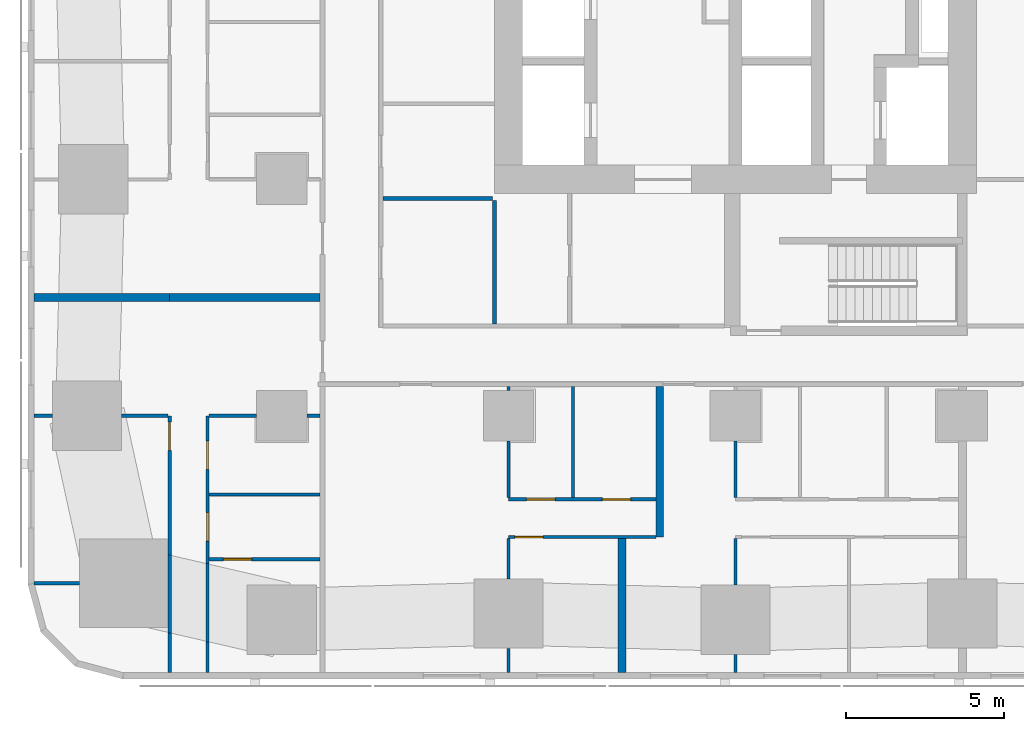
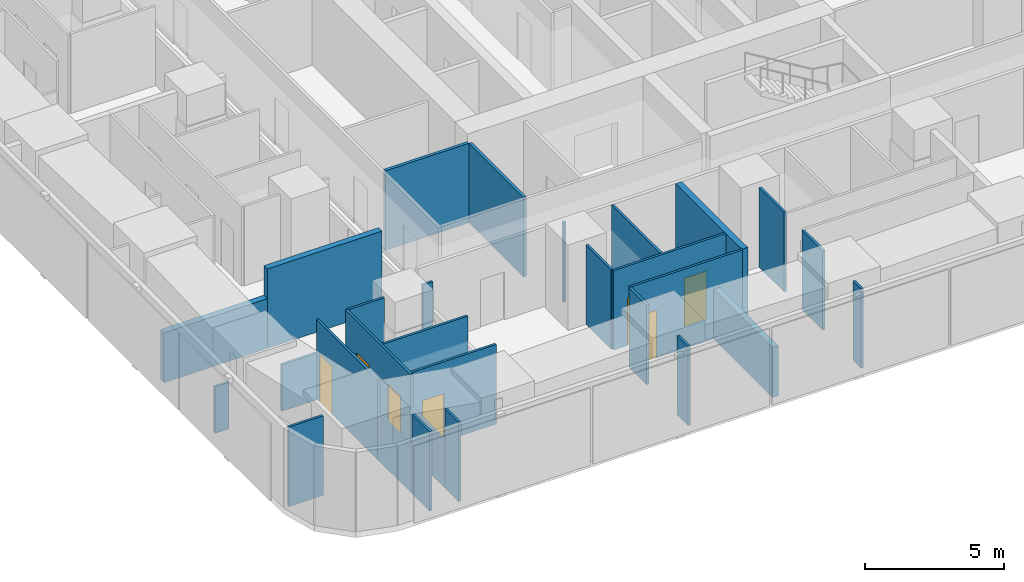
# One storey, part 2 of 17: 29 walls, 7 doors, 7 openings.
"""IFC4 building model written with IfcOpenShell, lengths in metres."""

from ifc_helpers import new_model, si_unit, direction, frame, frame_2d, origin, place, context, subcontext, project, spatial, rectangle, extrude, material, layer, layer_set, type_object, element, fill, save


model = new_model("IFC4")

# Units and contexts
model_context = context("Model", 3, precision=1e-05, world=origin(), true_north=direction((0.0, 1.0)))
body_context = subcontext(model_context, "Body", "Model", "MODEL_VIEW")
ifc_project = project(units=[si_unit("LENGTHUNIT", "METRE"), si_unit("AREAUNIT", "SQUARE_METRE"), si_unit("VOLUMEUNIT", "CUBIC_METRE"), si_unit("PLANEANGLEUNIT", "RADIAN"), si_unit("MASSUNIT", "GRAM", prefix="KILO")], contexts=[model_context])

# Site, building, storey
site_placement = place(None, origin())
site = spatial("IfcSite", under=ifc_project, at=site_placement, CompositionType="ELEMENT")
building_placement = place(site_placement, origin())
building = spatial("IfcBuilding", under=site, at=building_placement, Name="Sheger Commons Tower", CompositionType="ELEMENT")
storey_placement = place(building_placement, frame((0.0, 0.0, 119.14990234375)))
storey = spatial("IfcBuildingStorey", under=building, at=storey_placement, Name="L30", CompositionType="ELEMENT", Elevation=119.14990234375)

# Walls
ifc_material_1 = material(Name="Dense concrete block masonry, plastered both sides (separating wall between flats)", Category="masonry")
ifc_layer_1 = layer(ifc_material_1, 0.25)
ifc_layer_set_1 = layer_set([ifc_layer_1], Name="DEMISING WALL 250")
wall_type_1 = type_object("IfcWallType", Name="DEMISING WALL 250", PredefinedType="SOLIDWALL", material=ifc_layer_set_1)
wall_1_placement = place(storey_placement, frame((-0.64990234375, 11.25, 0.0), z_axis=(0.0, 0.0, 1.0), x_axis=(1.0, 0.0, 0.0)))
element("IfcWall", 1, at=wall_1_placement, inside=storey, type_object=wall_type_1, Name="Demising wall L30", PredefinedType="SOLIDWALL", context=body_context, shape_type="SweptSolid", body=[
    extrude(rectangle(XDim=4.2998046875, YDim=0.25, at=frame_2d((2.14990234375, 0.0))), origin(), (0.0, 0.0, 1.0), 2.2001953125),
])
wall_2_placement = place(storey_placement, frame((3.64990234375, 11.25, 0.0), z_axis=(0.0, 0.0, 1.0), x_axis=(1.0, 0.0, 0.0)))
element("IfcWall", 2, at=wall_2_placement, inside=storey, type_object=wall_type_1, Name="Demising wall L30", PredefinedType="SOLIDWALL", context=body_context, shape_type="SweptSolid", body=[
    extrude(rectangle(XDim=4.775146484375, YDim=0.25, at=frame_2d((2.3876953125, 0.0))), origin(), (0.0, 0.0, 1.0), 3.5),
])
wall_3_placement = place(storey_placement, frame((18.0, -0.64990234375, 0.0), z_axis=(0.0, 0.0, 1.0), x_axis=(0.0, 1.0, 0.0)))
element("IfcWall", 3, at=wall_3_placement, inside=storey, type_object=wall_type_1, Name="Demising wall L30", PredefinedType="SOLIDWALL", context=body_context, shape_type="SweptSolid", body=[
    extrude(rectangle(XDim=4.25, YDim=0.25, at=frame_2d((2.125, 0.0))), origin(), (0.0, 0.0, 1.0), 2.2001953125),
])
wall_4_placement = place(storey_placement, frame((19.198974609375, 3.64990234375, 0.0), z_axis=(0.0, 0.0, 1.0), x_axis=(0.0, 1.0, 0.0)))
element("IfcWall", 4, at=wall_4_placement, inside=storey, type_object=wall_type_1, Name="Demising wall L30", PredefinedType="SOLIDWALL", context=body_context, shape_type="SweptSolid", body=[
    extrude(rectangle(XDim=4.775146484375, YDim=0.25, at=frame_2d((2.3876953125, 0.0))), origin(), (0.0, 0.0, 1.0), 3.5),
])
ifc_material_2 = material(Name="Gypsum board on steel studs", Category="steel")
ifc_layer_2 = layer(ifc_material_2, 0.10009765625)
ifc_layer_set_2 = layer_set([ifc_layer_2], Name="PARTITION 100")
wall_type_2 = type_object("IfcWallType", Name="PARTITION 100", PredefinedType="PARTITIONING", material=ifc_layer_set_2)
wall_5_placement = place(storey_placement, frame((3.64990234375, -0.64990234375, 0.0), z_axis=(0.0, 0.0, 1.0), x_axis=(0.0, 1.0, 0.0)))
element("IfcWall", 5, at=wall_5_placement, inside=storey, type_object=wall_type_2, Name="Partition L30", PredefinedType="PARTITIONING", context=body_context, shape_type="SweptSolid", body=[
    extrude(rectangle(XDim=1.25390625, YDim=0.10009765625, at=frame_2d((0.626953125, 0.0))), origin(), (0.0, 0.0, 1.0), 3.5),
])
wall_6_placement = place(storey_placement, frame((3.64990234375, 0.60400390625, 0.0), z_axis=(0.0, 0.0, 1.0), x_axis=(0.0, 1.0, 0.0)))
element("IfcWall", 6, at=wall_6_placement, inside=storey, type_object=wall_type_2, Name="Partition L30", PredefinedType="PARTITIONING", context=body_context, shape_type="SweptSolid", body=[
    extrude(rectangle(XDim=2.486083984375, YDim=0.10009765625, at=frame_2d((1.2431640625, 0.0))), origin(), (0.0, 0.0, 1.0), 2.050048828125),
])

# Wall, opening, door
wall_7_placement = place(storey_placement, frame((3.64990234375, 3.090087890625, 0.0), z_axis=(0.0, 0.0, 1.0), x_axis=(0.0, 1.0, 0.0)))
wall_7 = element("IfcWall", 7, at=wall_7_placement, inside=storey, type_object=wall_type_2, Name="Partition L30", PredefinedType="PARTITIONING", context=body_context, shape_type="SweptSolid", body=[
    extrude(rectangle(XDim=4.409912109375, YDim=0.10009765625, at=frame_2d((2.205078125, 0.0))), origin(), (0.0, 0.0, 1.0), 3.5),
])
opening_1_placement = place(wall_7_placement, frame((3.31005859375, 0.0, 0.0)))
opening_1 = element("IfcOpeningElement", 8, at=opening_1_placement, cuts=wall_7, Name="Opening D2", PredefinedType="OPENING", context=body_context, shape_type="SweptSolid", body=[
    extrude(rectangle(XDim=0.89990234375, YDim=2.10009765625, at=frame_2d((0.449951171875, 1.050048828125))), frame((0.0, 0.06005859375, 0.0), z_axis=(0.0, -1.0, 0.0), x_axis=(1.0, 0.0, 0.0)), (0.0, 0.0, 1.0), 0.1201171875),
])
ifc_material_3 = material(Name="Timber door set", Category="wood")
door_type = type_object("IfcDoorType", Name="INTERNAL DOOR 900x2100", OperationType="NOTDEFINED", PredefinedType="DOOR", material=ifc_material_3)
door_1_placement = place(opening_1_placement, origin())
door_1 = element("IfcDoor", 9, at=door_1_placement, inside=storey, type_object=door_type, Name="Main bedroom door", OperationType="SINGLE_SWING_RIGHT", OverallHeight=2.10009765625, OverallWidth=0.89990234375, PredefinedType="DOOR", context=body_context, shape_type="SweptSolid", body=[
    extrude(rectangle(XDim=0.89990234375, YDim=2.10009765625, at=frame_2d((0.449951171875, 1.050048828125))), frame((0.0, 0.02490234375, 0.0), z_axis=(0.0, -1.0, 0.0), x_axis=(1.0, 0.0, 0.0)), (0.0, 0.0, 1.0), 0.050048828125),
])
fill(opening_1, door_1)

# Walls
wall_8_placement = place(storey_placement, frame((4.85009765625, -0.64990234375, 0.0), z_axis=(0.0, 0.0, 1.0), x_axis=(0.0, 1.0, 0.0)))
element("IfcWall", 10, at=wall_8_placement, inside=storey, type_object=wall_type_2, Name="Partition L30", PredefinedType="PARTITIONING", context=body_context, shape_type="SweptSolid", body=[
    extrude(rectangle(XDim=0.975830078125, YDim=0.10009765625, at=frame_2d((0.48779296875, 0.0))), origin(), (0.0, 0.0, 1.0), 3.5),
])
wall_9_placement = place(storey_placement, frame((4.85009765625, 0.325927734375, 0.0), z_axis=(0.0, 0.0, 1.0), x_axis=(0.0, 1.0, 0.0)))
element("IfcWall", 11, at=wall_9_placement, inside=storey, type_object=wall_type_2, Name="Partition L30", PredefinedType="PARTITIONING", context=body_context, shape_type="SweptSolid", body=[
    extrude(rectangle(XDim=2.486083984375, YDim=0.10009765625, at=frame_2d((1.2431640625, 0.0))), origin(), (0.0, 0.0, 1.0), 2.050048828125),
])

# Wall, openings, doors
wall_10_placement = place(storey_placement, frame((4.85009765625, 2.81201171875, 0.0), z_axis=(0.0, 0.0, 1.0), x_axis=(0.0, 1.0, 0.0)))
wall_10 = element("IfcWall", 12, at=wall_10_placement, inside=storey, type_object=wall_type_2, Name="Partition L30", PredefinedType="PARTITIONING", context=body_context, shape_type="SweptSolid", body=[
    extrude(rectangle(XDim=4.68798828125, YDim=0.10009765625, at=frame_2d((2.343994140625, 0.0))), origin(), (0.0, 0.0, 1.0), 3.5),
])
opening_2_placement = place(wall_10_placement, frame((2.987060546875, 0.0, 0.0)))
opening_2 = element("IfcOpeningElement", 13, at=opening_2_placement, cuts=wall_10, Name="Opening D2", PredefinedType="OPENING", context=body_context, shape_type="SweptSolid", body=[
    extrude(rectangle(XDim=0.89990234375, YDim=2.10009765625, at=frame_2d((0.449951171875, 1.050048828125))), frame((0.0, 0.06005859375, 0.0), z_axis=(0.0, -1.0, 0.0), x_axis=(1.0, 0.0, 0.0)), (0.0, 0.0, 1.0), 0.1201171875),
])
opening_3_placement = place(wall_10_placement, frame((0.7119140625, 0.0, 0.0)))
opening_3 = element("IfcOpeningElement", 14, at=opening_3_placement, cuts=wall_10, Name="Opening D2", PredefinedType="OPENING", context=body_context, shape_type="SweptSolid", body=[
    extrude(rectangle(XDim=0.89990234375, YDim=2.10009765625, at=frame_2d((0.449951171875, 1.050048828125))), frame((0.0, 0.06005859375, 0.0), z_axis=(0.0, -1.0, 0.0), x_axis=(1.0, 0.0, 0.0)), (0.0, 0.0, 1.0), 0.1201171875),
])
door_2_placement = place(opening_2_placement, origin())
door_2 = element("IfcDoor", 15, at=door_2_placement, inside=storey, type_object=door_type, Name="Store and laundry door", OperationType="SINGLE_SWING_LEFT", OverallHeight=2.10009765625, OverallWidth=0.89990234375, PredefinedType="DOOR", context=body_context, shape_type="SweptSolid", body=[
    extrude(rectangle(XDim=0.89990234375, YDim=2.10009765625, at=frame_2d((0.449951171875, 1.050048828125))), frame((0.0, 0.02490234375, 0.0), z_axis=(0.0, -1.0, 0.0), x_axis=(1.0, 0.0, 0.0)), (0.0, 0.0, 1.0), 0.050048828125),
])
fill(opening_2, door_2)
door_3_placement = place(opening_3_placement, origin())
door_3 = element("IfcDoor", 16, at=door_3_placement, inside=storey, type_object=door_type, Name="Bathroom door", OperationType="SINGLE_SWING_RIGHT", OverallHeight=2.10009765625, OverallWidth=0.89990234375, PredefinedType="DOOR", context=body_context, shape_type="SweptSolid", body=[
    extrude(rectangle(XDim=0.89990234375, YDim=2.10009765625, at=frame_2d((0.449951171875, 1.050048828125))), frame((0.0, 0.02490234375, 0.0), z_axis=(0.0, -1.0, 0.0), x_axis=(1.0, 0.0, 0.0)), (0.0, 0.0, 1.0), 0.050048828125),
])
fill(opening_3, door_3)

# Walls
wall_11_placement = place(storey_placement, frame((-0.64990234375, 2.18603515625, 0.0), z_axis=(0.0, 0.0, 1.0), x_axis=(1.0, 0.0, 0.0)))
element("IfcWall", 17, at=wall_11_placement, inside=storey, type_object=wall_type_2, Name="Partition L30", PredefinedType="PARTITIONING", context=body_context, shape_type="SweptSolid", body=[
    extrude(rectangle(XDim=1.434814453125, YDim=0.10009765625, at=frame_2d((0.71728515625, 0.0))), origin(), (0.0, 0.0, 1.0), 3.5),
])
wall_12_placement = place(storey_placement, frame((-0.64990234375, 7.5, 0.0), z_axis=(0.0, 0.0, 1.0), x_axis=(1.0, 0.0, 0.0)))
element("IfcWall", 18, at=wall_12_placement, inside=storey, type_object=wall_type_2, Name="Partition L30", PredefinedType="PARTITIONING", context=body_context, shape_type="SweptSolid", body=[
    extrude(rectangle(XDim=0.573974609375, YDim=0.10009765625, at=frame_2d((0.287109375, 0.0))), origin(), (0.0, 0.0, 1.0), 2.050048828125),
])
wall_13_placement = place(storey_placement, frame((2.1259765625, 7.5, 0.0), z_axis=(0.0, 0.0, 1.0), x_axis=(1.0, 0.0, 0.0)))
element("IfcWall", 19, at=wall_13_placement, inside=storey, type_object=wall_type_2, Name="Partition L30", PredefinedType="PARTITIONING", context=body_context, shape_type="SweptSolid", body=[
    extrude(rectangle(XDim=1.47412109375, YDim=0.10009765625, at=frame_2d((0.737060546875, 0.0))), origin(), (0.0, 0.0, 1.0), 2.050048828125),
])
wall_14_placement = place(storey_placement, frame((4.89990234375, 4.9990234375, 0.0), z_axis=(0.0, 0.0, 1.0), x_axis=(1.0, 0.0, 0.0)))
element("IfcWall", 20, at=wall_14_placement, inside=storey, type_object=wall_type_2, Name="Partition L30", PredefinedType="PARTITIONING", context=body_context, shape_type="SweptSolid", body=[
    extrude(rectangle(XDim=3.525146484375, YDim=0.10009765625, at=frame_2d((1.7626953125, 0.0))), origin(), (0.0, 0.0, 1.0), 3.5),
])
wall_15_placement = place(storey_placement, frame((4.89990234375, 7.5, 0.0), z_axis=(0.0, 0.0, 1.0), x_axis=(1.0, 0.0, 0.0)))
element("IfcWall", 21, at=wall_15_placement, inside=storey, type_object=wall_type_2, Name="Partition L30", PredefinedType="PARTITIONING", context=body_context, shape_type="SweptSolid", body=[
    extrude(rectangle(XDim=1.4990234375, YDim=0.10009765625, at=frame_2d((0.74951171875, 0.0))), origin(), (0.0, 0.0, 1.0), 3.5),
])
wall_16_placement = place(storey_placement, frame((8.0009765625, 7.5, 0.0), z_axis=(0.0, 0.0, 1.0), x_axis=(1.0, 0.0, 0.0)))
element("IfcWall", 22, at=wall_16_placement, inside=storey, type_object=wall_type_2, Name="Partition L30", PredefinedType="PARTITIONING", context=body_context, shape_type="SweptSolid", body=[
    extrude(rectangle(XDim=0.424072265625, YDim=0.10009765625, at=frame_2d((0.2119140625, 0.0))), origin(), (0.0, 0.0, 1.0), 3.5),
])

# Wall, opening, door
wall_17_placement = place(storey_placement, frame((4.89990234375, 2.948974609375, 0.0), z_axis=(0.0, 0.0, 1.0), x_axis=(1.0, 0.0, 0.0)))
wall_17 = element("IfcWall", 23, at=wall_17_placement, inside=storey, type_object=wall_type_2, Name="Partition L30", PredefinedType="PARTITIONING", context=body_context, shape_type="SweptSolid", body=[
    extrude(rectangle(XDim=3.525146484375, YDim=0.10009765625, at=frame_2d((1.7626953125, 0.0))), origin(), (0.0, 0.0, 1.0), 3.5),
])
opening_4_placement = place(wall_17_placement, frame((0.449951171875, 0.0, 0.0)))
opening_4 = element("IfcOpeningElement", 24, at=opening_4_placement, cuts=wall_17, Name="Opening D2", PredefinedType="OPENING", context=body_context, shape_type="SweptSolid", body=[
    extrude(rectangle(XDim=0.89990234375, YDim=2.10009765625, at=frame_2d((0.449951171875, 1.050048828125))), frame((0.0, 0.06005859375, 0.0), z_axis=(0.0, -1.0, 0.0), x_axis=(1.0, 0.0, 0.0)), (0.0, 0.0, 1.0), 0.1201171875),
])
door_4_placement = place(opening_4_placement, origin())
door_4 = element("IfcDoor", 25, at=door_4_placement, inside=storey, type_object=door_type, Name="Linen store door", OperationType="SINGLE_SWING_LEFT", OverallHeight=2.10009765625, OverallWidth=0.89990234375, PredefinedType="DOOR", context=body_context, shape_type="SweptSolid", body=[
    extrude(rectangle(XDim=0.89990234375, YDim=2.10009765625, at=frame_2d((0.449951171875, 1.050048828125))), frame((0.0, 0.02490234375, 0.0), z_axis=(0.0, -1.0, 0.0), x_axis=(1.0, 0.0, 0.0)), (0.0, 0.0, 1.0), 0.050048828125),
])
fill(opening_4, door_4)

wall_18_placement = place(storey_placement, frame((19.073974609375, 3.64990234375, 0.0), z_axis=(0.0, 0.0, 1.0), x_axis=(-1.0, 0.0, 0.0)))
wall_18 = element("IfcWall", 26, at=wall_18_placement, inside=storey, type_object=wall_type_2, Name="Partition L30", PredefinedType="PARTITIONING", context=body_context, shape_type="SweptSolid", body=[
    extrude(rectangle(XDim=4.674072265625, YDim=0.10009765625, at=frame_2d((2.3369140625, 0.0))), origin(), (0.0, 0.0, 1.0), 3.5),
])
opening_5_placement = place(wall_18_placement, frame((3.573974609375, 0.0, 0.0)))
opening_5 = element("IfcOpeningElement", 27, at=opening_5_placement, cuts=wall_18, Name="Opening D2", PredefinedType="OPENING", context=body_context, shape_type="SweptSolid", body=[
    extrude(rectangle(XDim=0.89990234375, YDim=2.10009765625, at=frame_2d((0.449951171875, 1.050048828125))), frame((0.0, 0.06005859375, 0.0), z_axis=(0.0, -1.0, 0.0), x_axis=(1.0, 0.0, 0.0)), (0.0, 0.0, 1.0), 0.1201171875),
])
door_5_placement = place(opening_5_placement, origin())
door_5 = element("IfcDoor", 28, at=door_5_placement, inside=storey, type_object=door_type, Name="Main bedroom door", OperationType="SINGLE_SWING_RIGHT", OverallHeight=2.10009765625, OverallWidth=0.89990234375, PredefinedType="DOOR", context=body_context, shape_type="SweptSolid", body=[
    extrude(rectangle(XDim=0.89990234375, YDim=2.10009765625, at=frame_2d((0.449951171875, 1.050048828125))), frame((0.0, 0.02490234375, 0.0), z_axis=(0.0, -1.0, 0.0), x_axis=(1.0, 0.0, 0.0)), (0.0, 0.0, 1.0), 0.050048828125),
])
fill(opening_5, door_5)

# Wall, openings, doors
wall_19_placement = place(storey_placement, frame((19.073974609375, 4.85009765625, 0.0), z_axis=(0.0, 0.0, 1.0), x_axis=(-1.0, 0.0, 0.0)))
wall_19 = element("IfcWall", 29, at=wall_19_placement, inside=storey, type_object=wall_type_2, Name="Partition L30", PredefinedType="PARTITIONING", context=body_context, shape_type="SweptSolid", body=[
    extrude(rectangle(XDim=4.674072265625, YDim=0.10009765625, at=frame_2d((2.3369140625, 0.0))), origin(), (0.0, 0.0, 1.0), 3.5),
])
opening_6_placement = place(wall_19_placement, frame((3.198974609375, 0.0, 0.0)))
opening_6 = element("IfcOpeningElement", 30, at=opening_6_placement, cuts=wall_19, Name="Opening D2", PredefinedType="OPENING", context=body_context, shape_type="SweptSolid", body=[
    extrude(rectangle(XDim=0.89990234375, YDim=2.10009765625, at=frame_2d((0.449951171875, 1.050048828125))), frame((0.0, 0.06005859375, 0.0), z_axis=(0.0, -1.0, 0.0), x_axis=(1.0, 0.0, 0.0)), (0.0, 0.0, 1.0), 0.1201171875),
])
opening_7_placement = place(wall_19_placement, frame((0.799072265625, 0.0, 0.0)))
opening_7 = element("IfcOpeningElement", 31, at=opening_7_placement, cuts=wall_19, Name="Opening D2", PredefinedType="OPENING", context=body_context, shape_type="SweptSolid", body=[
    extrude(rectangle(XDim=0.89990234375, YDim=2.10009765625, at=frame_2d((0.449951171875, 1.050048828125))), frame((0.0, 0.06005859375, 0.0), z_axis=(0.0, -1.0, 0.0), x_axis=(1.0, 0.0, 0.0)), (0.0, 0.0, 1.0), 0.1201171875),
])
door_6_placement = place(opening_6_placement, origin())
door_6 = element("IfcDoor", 32, at=door_6_placement, inside=storey, type_object=door_type, Name="Bathroom door", OperationType="SINGLE_SWING_LEFT", OverallHeight=2.10009765625, OverallWidth=0.89990234375, PredefinedType="DOOR", context=body_context, shape_type="SweptSolid", body=[
    extrude(rectangle(XDim=0.89990234375, YDim=2.10009765625, at=frame_2d((0.449951171875, 1.050048828125))), frame((0.0, 0.02490234375, 0.0), z_axis=(0.0, -1.0, 0.0), x_axis=(1.0, 0.0, 0.0)), (0.0, 0.0, 1.0), 0.050048828125),
])
fill(opening_6, door_6)
door_7_placement = place(opening_7_placement, origin())
door_7 = element("IfcDoor", 33, at=door_7_placement, inside=storey, type_object=door_type, Name="Store door", OperationType="SINGLE_SWING_RIGHT", OverallHeight=2.10009765625, OverallWidth=0.89990234375, PredefinedType="DOOR", context=body_context, shape_type="SweptSolid", body=[
    extrude(rectangle(XDim=0.89990234375, YDim=2.10009765625, at=frame_2d((0.449951171875, 1.050048828125))), frame((0.0, 0.02490234375, 0.0), z_axis=(0.0, -1.0, 0.0), x_axis=(1.0, 0.0, 0.0)), (0.0, 0.0, 1.0), 0.050048828125),
])
fill(opening_7, door_7)

# Walls
wall_20_placement = place(storey_placement, frame((14.39990234375, -0.64990234375, 0.0), z_axis=(0.0, 0.0, 1.0), x_axis=(0.0, 1.0, 0.0)))
element("IfcWall", 34, at=wall_20_placement, inside=storey, type_object=wall_type_2, Name="Partition L30", PredefinedType="PARTITIONING", context=body_context, shape_type="SweptSolid", body=[
    extrude(rectangle(XDim=0.77392578125, YDim=0.10009765625, at=frame_2d((0.386962890625, 0.0))), origin(), (0.0, 0.0, 1.0), 3.5),
])
wall_21_placement = place(storey_placement, frame((14.39990234375, 2.325927734375, 0.0), z_axis=(0.0, 0.0, 1.0), x_axis=(0.0, 1.0, 0.0)))
element("IfcWall", 35, at=wall_21_placement, inside=storey, type_object=wall_type_2, Name="Partition L30", PredefinedType="PARTITIONING", context=body_context, shape_type="SweptSolid", body=[
    extrude(rectangle(XDim=1.274169921875, YDim=0.10009765625, at=frame_2d((0.63720703125, 0.0))), origin(), (0.0, 0.0, 1.0), 3.5),
])
wall_22_placement = place(storey_placement, frame((14.39990234375, 4.89990234375, 0.0), z_axis=(0.0, 0.0, 1.0), x_axis=(0.0, 1.0, 0.0)))
element("IfcWall", 36, at=wall_22_placement, inside=storey, type_object=wall_type_2, Name="Partition L30", PredefinedType="PARTITIONING", context=body_context, shape_type="SweptSolid", body=[
    extrude(rectangle(XDim=1.799072265625, YDim=0.10009765625, at=frame_2d((0.8994140625, 0.0))), origin(), (0.0, 0.0, 1.0), 3.5),
])
wall_23_placement = place(storey_placement, frame((14.39990234375, 8.301025390625, 0.0), z_axis=(0.0, 0.0, 1.0), x_axis=(0.0, 1.0, 0.0)))
element("IfcWall", 37, at=wall_23_placement, inside=storey, type_object=wall_type_2, Name="Partition L30", PredefinedType="PARTITIONING", context=body_context, shape_type="SweptSolid", body=[
    extrude(rectangle(XDim=0.1240234375, YDim=0.10009765625, at=frame_2d((0.06201171875, 0.0))), origin(), (0.0, 0.0, 1.0), 3.5),
])
wall_24_placement = place(storey_placement, frame((16.449951171875, 4.89990234375, 0.0), z_axis=(0.0, 0.0, 1.0), x_axis=(0.0, 1.0, 0.0)))
element("IfcWall", 38, at=wall_24_placement, inside=storey, type_object=wall_type_2, Name="Partition L30", PredefinedType="PARTITIONING", context=body_context, shape_type="SweptSolid", body=[
    extrude(rectangle(XDim=3.525146484375, YDim=0.10009765625, at=frame_2d((1.7626953125, 0.0))), origin(), (0.0, 0.0, 1.0), 3.5),
])
wall_25_placement = place(storey_placement, frame((21.60009765625, -0.64990234375, 0.0), z_axis=(0.0, 0.0, 1.0), x_axis=(0.0, 1.0, 0.0)))
element("IfcWall", 39, at=wall_25_placement, inside=storey, type_object=wall_type_2, Name="Partition L30", PredefinedType="PARTITIONING", context=body_context, shape_type="SweptSolid", body=[
    extrude(rectangle(XDim=0.573974609375, YDim=0.10009765625, at=frame_2d((0.287109375, 0.0))), origin(), (0.0, 0.0, 1.0), 3.5),
])
wall_26_placement = place(storey_placement, frame((21.60009765625, 2.1259765625, 0.0), z_axis=(0.0, 0.0, 1.0), x_axis=(0.0, 1.0, 0.0)))
element("IfcWall", 40, at=wall_26_placement, inside=storey, type_object=wall_type_2, Name="Partition L30", PredefinedType="PARTITIONING", context=body_context, shape_type="SweptSolid", body=[
    extrude(rectangle(XDim=1.47412109375, YDim=0.10009765625, at=frame_2d((0.737060546875, 0.0))), origin(), (0.0, 0.0, 1.0), 3.5),
])
wall_27_placement = place(storey_placement, frame((21.60009765625, 4.89990234375, 0.0), z_axis=(0.0, 0.0, 1.0), x_axis=(0.0, 1.0, 0.0)))
element("IfcWall", 41, at=wall_27_placement, inside=storey, type_object=wall_type_2, Name="Partition L30", PredefinedType="PARTITIONING", context=body_context, shape_type="SweptSolid", body=[
    extrude(rectangle(XDim=1.799072265625, YDim=0.10009765625, at=frame_2d((0.8994140625, 0.0))), origin(), (0.0, 0.0, 1.0), 3.5),
])
ifc_material_4 = material(Name="Gypsum board on steel studs, two layers each side, fire rated", Category="steel")
ifc_layer_3 = layer(ifc_material_4, 0.125)
ifc_layer_set_3 = layer_set([ifc_layer_3], Name="SERVICE WALL 125")
wall_type_3 = type_object("IfcWallType", Name="SERVICE WALL 125", PredefinedType="PARTITIONING", material=ifc_layer_set_3)
wall_28_placement = place(storey_placement, frame((10.4130859375, 14.39990234375, 0.0), z_axis=(0.0, 0.0, 1.0), x_axis=(1.0, 0.0, 0.0)))
element("IfcWall", 42, at=wall_28_placement, inside=storey, type_object=wall_type_3, Name="Service room wall L30", PredefinedType="PARTITIONING", context=body_context, shape_type="SweptSolid", body=[
    extrude(rectangle(XDim=3.474853515625, YDim=0.125, at=frame_2d((1.7373046875, 0.0))), origin(), (0.0, 0.0, 1.0), 3.5),
])
wall_29_placement = place(storey_placement, frame((13.949951171875, 10.4130859375, 0.0), z_axis=(0.0, 0.0, 1.0), x_axis=(0.0, 1.0, 0.0)))
element("IfcWall", 43, at=wall_29_placement, inside=storey, type_object=wall_type_3, Name="Service room wall L30", PredefinedType="PARTITIONING", context=body_context, shape_type="SweptSolid", body=[
    extrude(rectangle(XDim=3.9248046875, YDim=0.125, at=frame_2d((1.96240234375, 0.0))), origin(), (0.0, 0.0, 1.0), 3.5),
])

save(model, "model.ifc")
